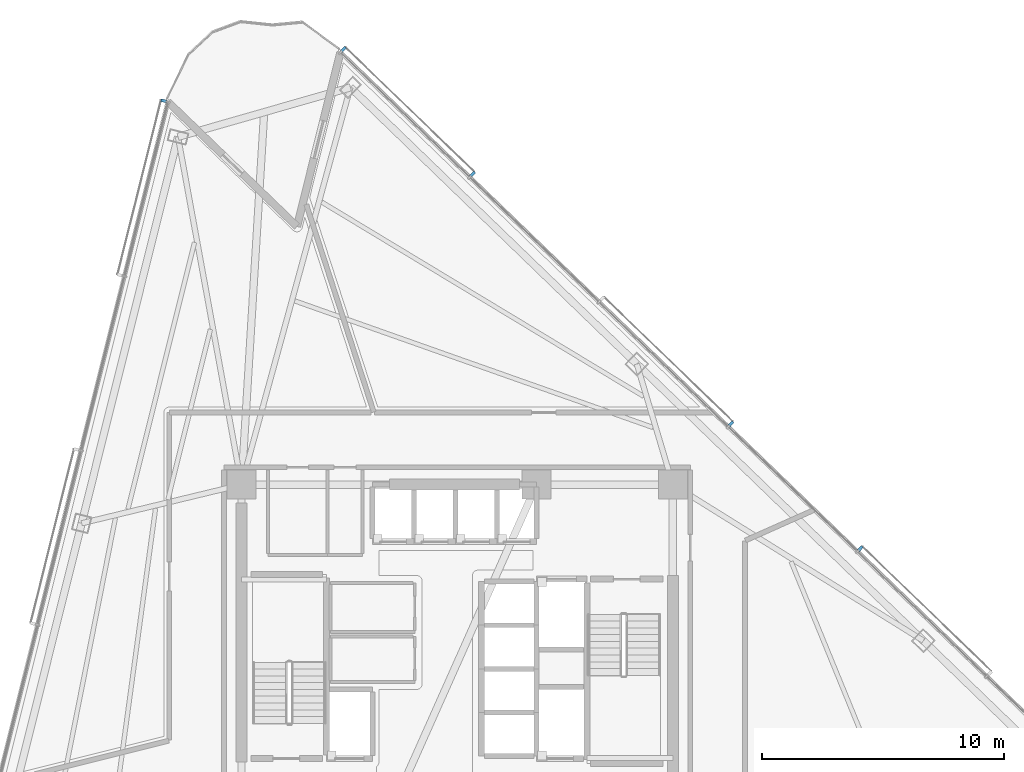
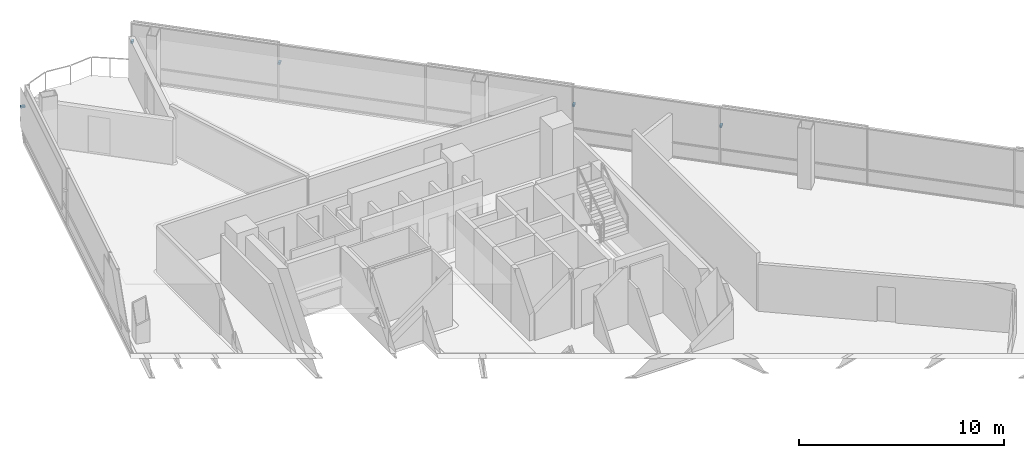
# One storey, part 14 of 18: 5 discrete accessories.
"""IFC4 building model written with IfcOpenShell, lengths in metres."""

from ifc_helpers import new_model, si_unit, direction, frame, origin, origin_2d, place, context, subcontext, project, spatial, rectangle, extrude, material, type_object, element, save


model = new_model("IFC4")

# Units and contexts
model_context = context("Model", 3, precision=1e-05, world=origin(), true_north=direction((0.0, 1.0)))
body_context = subcontext(model_context, "Body", "Model", "MODEL_VIEW")
ifc_project = project(units=[si_unit("LENGTHUNIT", "METRE"), si_unit("AREAUNIT", "SQUARE_METRE"), si_unit("VOLUMEUNIT", "CUBIC_METRE"), si_unit("PLANEANGLEUNIT", "RADIAN"), si_unit("MASSUNIT", "GRAM", prefix="KILO")], contexts=[model_context])

# Site, building, storey
site_placement = place(None, origin())
site = spatial("IfcSite", under=ifc_project, at=site_placement, CompositionType="ELEMENT")
building_placement = place(site_placement, origin())
building = spatial("IfcBuilding", under=site, at=building_placement, Name="Tharavind Bronze Gate", CompositionType="ELEMENT")
storey_placement = place(building_placement, frame((0.0, 0.0, 100.5)))
storey = spatial("IfcBuildingStorey", under=building, at=storey_placement, Name="L25", CompositionType="ELEMENT", Elevation=100.5)

# Discrete accessories
ifc_material = material(Name="Stainless Steel 316", Category="steel")
discrete_accessory_type = type_object("IfcDiscreteAccessoryType", Name="SOLAR SCREEN STANDOFF BRACKET", PredefinedType="BRACKET", material=ifc_material)
for number, where, z_axis, x_axis, name in (
    (1, (-12.1083984375, 23.437744140625, 2.094970703125), (0.0, 0.0, 1.0), (-0.2419218956, -0.970295726276, 0.0), "CW-L25-S1 solar screen bracket 1.1"),
    (2, (16.637939453125, 4.962158203125, 2.094970703125), (0.0, 0.0, 1.0), (-0.719341012745, 0.694657114973, 0.0), "CW-L25-S3 solar screen bracket 3.2"),
    (3, (11.3046875, 10.1123046875, 2.094970703125), (0.0, 0.0, 1.0), (-0.719341012745, 0.694657114973, 0.0), "CW-L25-S3 solar screen bracket 5.1"),
    (4, (0.637939453125, 20.4130859375, 2.094970703125), (0.0, 0.0, 1.0), (-0.719341012745, 0.694657114973, 0.0), "CW-L25-S3 solar screen bracket 7.1"),
    (5, (-4.6953125, 25.5634765625, 2.094970703125), (0.0, 0.0, 1.0), (-0.719341012745, 0.694657114973, 0.0), "CW-L25-S3 solar screen bracket 7.2"),
):
    element("IfcDiscreteAccessory", number, at=place(storey_placement, frame(where, z_axis=z_axis, x_axis=x_axis)), inside=storey, type_object=discrete_accessory_type, Name=name, PredefinedType="BRACKET", context=body_context, shape_type="SweptSolid", body=[
        extrude(rectangle(XDim=0.1201171875, YDim=0.239990234375, at=origin_2d()), origin(), (0.0, 0.0, 1.0), 0.1201171875),
    ])

save(model, "model.ifc")
